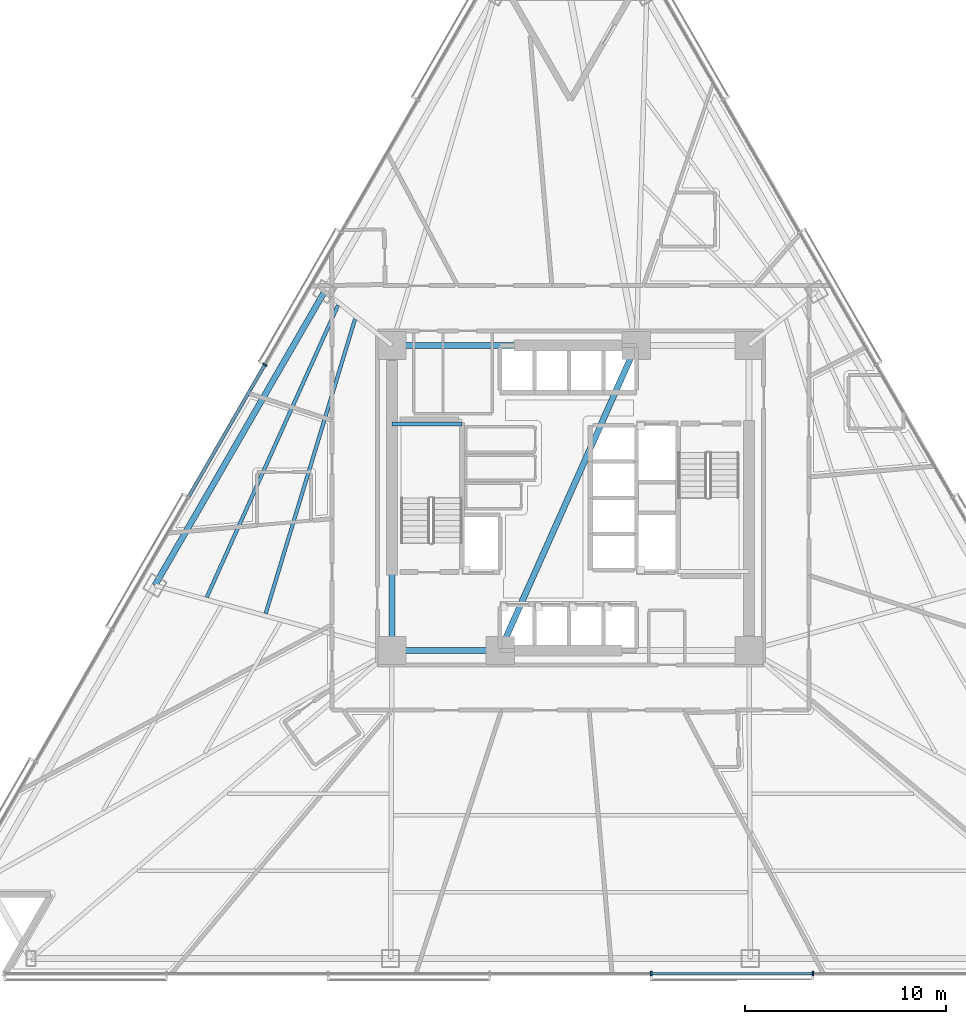
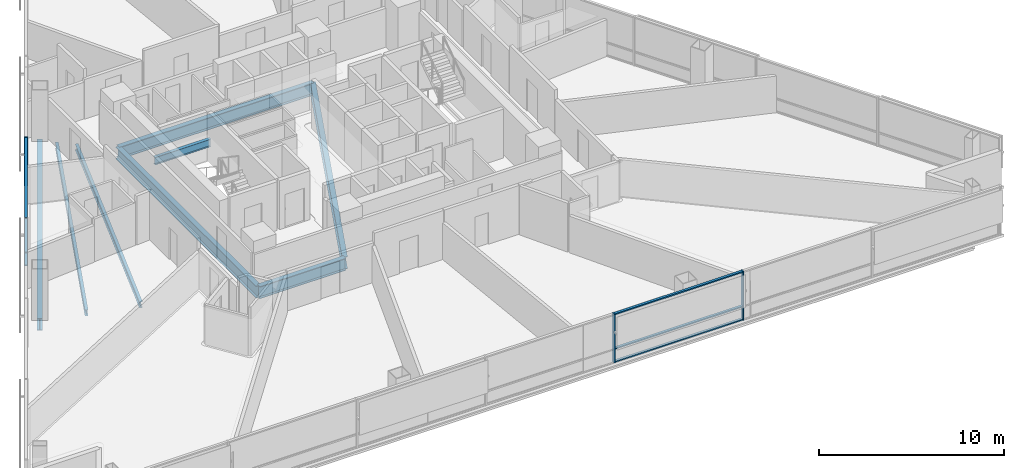
# One storey, part 3 of 18: 9 members, 8 beams, 2 elements without a shape of their own.
"""IFC4 building model written with IfcOpenShell, lengths in metres."""

from ifc_helpers import new_model, si_unit, direction, frame, origin, origin_2d, place, context, subcontext, project, spatial, rectangle, i_section, extrude, material, layer, layer_set, material_profile, profile_set, type_object, element, aggregate, save


model = new_model("IFC4")

# Units and contexts
model_context = context("Model", 3, precision=1e-05, world=origin(), true_north=direction((0.0, 1.0)))
body_context = subcontext(model_context, "Body", "Model", "MODEL_VIEW")
ifc_project = project(units=[si_unit("LENGTHUNIT", "METRE"), si_unit("AREAUNIT", "SQUARE_METRE"), si_unit("VOLUMEUNIT", "CUBIC_METRE"), si_unit("PLANEANGLEUNIT", "RADIAN"), si_unit("MASSUNIT", "GRAM", prefix="KILO")], contexts=[model_context])

# Site, building, storey
site_placement = place(None, origin())
site = spatial("IfcSite", under=ifc_project, at=site_placement, CompositionType="ELEMENT")
building_placement = place(site_placement, origin())
building = spatial("IfcBuilding", under=site, at=building_placement, Name="Tharavind Bronze Gate", CompositionType="ELEMENT")
storey_placement = place(building_placement, frame((0.0, 0.0, 38.64990234375)))
storey = spatial("IfcBuildingStorey", under=building, at=storey_placement, Name="L08", CompositionType="ELEMENT", Elevation=38.64990234375)

# Curtain wall, member
ifc_material_1 = material(Name="Anodised Bronze Aluminium", Category="aluminium")
ifc_layer = layer(ifc_material_1, 0.219970703125)
ifc_layer_set = layer_set([ifc_layer], Name="Anodised Bronze Aluminium")
curtain_wall_type = type_object("IfcCurtainWallType", Name="UNITISED CURTAIN WALL HOTEL", PredefinedType="USERDEFINED", material=ifc_layer_set)
curtain_wall_1_placement = place(storey_placement, origin())
curtain_wall_1 = element("IfcCurtainWall", 1, at=curtain_wall_1_placement, inside=storey, type_object=curtain_wall_type, Name="L08 unitised curtain wall hotel CW-L08-S1", ObjectType="UNITISED CURTAIN WALL", PredefinedType="USERDEFINED")
member_type_1 = type_object("IfcMemberType", Name="CURTAIN WALL MULLION 80X220", PredefinedType="MULLION", material=ifc_material_1)
member_1_placement = place(storey_placement, frame((-15.223876953125, 6.63134765625, 0.0), z_axis=(0.0, 0.0, 1.0), x_axis=(-0.500001511499, -0.866024531118, 0.0)))
member_1 = element("IfcMember", 2, at=member_1_placement, type_object=member_type_1, Name="CW-L08-S1 mullion 4", PredefinedType="MULLION", context=body_context, shape_type="SweptSolid", body=[
    extrude(rectangle(XDim=0.080078125, YDim=0.219970703125, at=origin_2d()), origin(), (0.0, 0.0, 1.0), 3.22509765625),
])

# Curtain wall, members
curtain_wall_2_placement = place(storey_placement, origin())
curtain_wall_2 = element("IfcCurtainWall", 3, at=curtain_wall_2_placement, inside=storey, type_object=curtain_wall_type, Name="L08 unitised curtain wall hotel CW-L08-S2", ObjectType="UNITISED CURTAIN WALL", PredefinedType="USERDEFINED")
member_2_placement = place(storey_placement, frame((4.025146484375, -23.699951171875, 0.0), z_axis=(0.0, 0.0, 1.0), x_axis=(1.0, 0.0, 0.0)))
member_2 = element("IfcMember", 4, at=member_2_placement, type_object=member_type_1, Name="CW-L08-S2 mullion 5", PredefinedType="MULLION", context=body_context, shape_type="SweptSolid", body=[
    extrude(rectangle(XDim=0.080078125, YDim=0.219970703125, at=origin_2d()), origin(), (0.0, 0.0, 1.0), 3.22509765625),
])
member_3_placement = place(storey_placement, frame((12.0751953125, -23.699951171875, 0.0), z_axis=(0.0, 0.0, 1.0), x_axis=(1.0, 0.0, 0.0)))
member_3 = element("IfcMember", 5, at=member_3_placement, type_object=member_type_1, Name="CW-L08-S2 mullion 6", PredefinedType="MULLION", context=body_context, shape_type="SweptSolid", body=[
    extrude(rectangle(XDim=0.080078125, YDim=0.219970703125, at=origin_2d()), origin(), (0.0, 0.0, 1.0), 3.22509765625),
])

# Member
member_type_2 = type_object("IfcMemberType", Name="CURTAIN WALL TRANSOM 80X160", PredefinedType="USERDEFINED", material=ifc_material_1)
member_4_placement = place(storey_placement, frame((-17.1279296875, 3.33349609375, 0.0), z_axis=(0.0, 0.0, 1.0), x_axis=(-0.500001511499, -0.866024531118, 0.0)))
member_4 = element("IfcMember", 6, at=member_4_placement, type_object=member_type_2, Name="CW-L08-S1 transom TB4", ObjectType="TRANSOM", PredefinedType="USERDEFINED", context=body_context, shape_type="SweptSolid", body=[
    extrude(rectangle(XDim=7.5478515625, YDim=0.159912109375, at=origin_2d()), origin(), (0.0, 0.0, 1.0), 0.080078125),
])

member_5_placement = place(storey_placement, frame((-17.1279296875, 3.33349609375, 0.860107421875), z_axis=(0.0, 0.0, 1.0), x_axis=(-0.500001511499, -0.866024531118, 0.0)))
member_5 = element("IfcMember", 7, at=member_5_placement, type_object=member_type_2, Name="CW-L08-S1 transom TS4", ObjectType="TRANSOM", PredefinedType="USERDEFINED", context=body_context, shape_type="SweptSolid", body=[
    extrude(rectangle(XDim=7.5478515625, YDim=0.159912109375, at=origin_2d()), origin(), (0.0, 0.0, 1.0), 0.080078125),
])

member_6_placement = place(storey_placement, frame((-17.1279296875, 3.33349609375, 3.14501953125), z_axis=(0.0, 0.0, 1.0), x_axis=(-0.500001511499, -0.866024531118, 0.0)))
member_6 = element("IfcMember", 8, at=member_6_placement, type_object=member_type_2, Name="CW-L08-S1 transom TT4", ObjectType="TRANSOM", PredefinedType="USERDEFINED", context=body_context, shape_type="SweptSolid", body=[
    extrude(rectangle(XDim=7.5478515625, YDim=0.159912109375, at=origin_2d()), origin(), (0.0, 0.0, 1.0), 0.080078125),
])

aggregate(curtain_wall_1, [member_1, member_4, member_5, member_6])

member_7_placement = place(storey_placement, frame((8.05029296875, -23.699951171875, 0.0), z_axis=(0.0, 0.0, 1.0), x_axis=(1.0, 0.0, 0.0)))
member_7 = element("IfcMember", 9, at=member_7_placement, type_object=member_type_2, Name="CW-L08-S2 transom TB5", ObjectType="TRANSOM", PredefinedType="USERDEFINED", context=body_context, shape_type="SweptSolid", body=[
    extrude(rectangle(XDim=7.982177734375, YDim=0.159912109375, at=origin_2d()), origin(), (0.0, 0.0, 1.0), 0.080078125),
])

member_8_placement = place(storey_placement, frame((8.05029296875, -23.699951171875, 0.860107421875), z_axis=(0.0, 0.0, 1.0), x_axis=(1.0, 0.0, 0.0)))
member_8 = element("IfcMember", 10, at=member_8_placement, type_object=member_type_2, Name="CW-L08-S2 transom TS5", ObjectType="TRANSOM", PredefinedType="USERDEFINED", context=body_context, shape_type="SweptSolid", body=[
    extrude(rectangle(XDim=7.982177734375, YDim=0.159912109375, at=origin_2d()), origin(), (0.0, 0.0, 1.0), 0.080078125),
])

member_9_placement = place(storey_placement, frame((8.05029296875, -23.699951171875, 3.14501953125), z_axis=(0.0, 0.0, 1.0), x_axis=(1.0, 0.0, 0.0)))
member_9 = element("IfcMember", 11, at=member_9_placement, type_object=member_type_2, Name="CW-L08-S2 transom TT5", ObjectType="TRANSOM", PredefinedType="USERDEFINED", context=body_context, shape_type="SweptSolid", body=[
    extrude(rectangle(XDim=7.982177734375, YDim=0.159912109375, at=origin_2d()), origin(), (0.0, 0.0, 1.0), 0.080078125),
])

aggregate(curtain_wall_2, [member_2, member_3, member_7, member_8, member_9])

# Beams
ifc_material_2 = material(Name="Steel S355", Category="steel")
ifc_material_profile_1 = material_profile(ifc_material_2, i_section(OverallWidth=0.199951171875, OverallDepth=0.5, WebThickness=0.01025390625, FlangeThickness=0.01611328125, at=origin_2d()), Name="IPE500")
ifc_profile_set_1 = profile_set([ifc_material_profile_1], Name="Steel S355")
beam_type_1 = type_object("IfcBeamType", Name="PRIMARY GIRDER IPE500", PredefinedType="USERDEFINED", material=ifc_profile_set_1)
beam_1_placement = place(storey_placement, frame((-8.89990234375, 3.679931640625, 1.25), z_axis=(1.0, 0.0, 0.0), x_axis=(0.0, 1.0, 0.0)))
element("IfcBeam", 12, at=beam_1_placement, inside=storey, type_object=beam_type_1, Name="L08 primary girder ipe500 BM-LD-ST1-L08-1", ObjectType="GIRDER", PredefinedType="USERDEFINED", context=body_context, shape_type="SweptSolid", body=[
    extrude(i_section(OverallWidth=0.199951171875, OverallDepth=0.5, WebThickness=0.01025390625, FlangeThickness=0.01611328125, at=origin_2d()), origin(), (0.0, 0.0, 1.0), 3.5),
])
ifc_material_profile_2 = material_profile(ifc_material_2, i_section(OverallWidth=0.300048828125, OverallDepth=0.800048828125, WebThickness=0.017578125, FlangeThickness=0.032958984375, at=origin_2d()), Name="HE800B")
ifc_profile_set_2 = profile_set([ifc_material_profile_2], Name="Steel S355")
beam_type_2 = type_object("IfcBeamType", Name="RING GIRDER HE800B", PredefinedType="USERDEFINED", material=ifc_profile_set_2)
beam_2_placement = place(storey_placement, frame((-8.89990234375, -7.60009765625, -0.574951171875), z_axis=(1.0, 0.0, 0.0), x_axis=(0.0, 1.0, 0.0)))
element("IfcBeam", 13, at=beam_2_placement, inside=storey, type_object=beam_type_2, Name="L08 ring girder he800b BM-L08-CR1", ObjectType="GIRDER", PredefinedType="USERDEFINED", context=body_context, shape_type="SweptSolid", body=[
    extrude(i_section(OverallWidth=0.300048828125, OverallDepth=0.800048828125, WebThickness=0.017578125, FlangeThickness=0.032958984375, at=origin_2d()), origin(), (0.0, 0.0, 1.0), 5.39990234375),
])
beam_3_placement = place(storey_placement, frame((3.280029296875, 7.60009765625, -0.574951171875), z_axis=(-1.0, 0.0, 0.0), x_axis=(0.0, -1.0, 0.0)))
element("IfcBeam", 14, at=beam_3_placement, inside=storey, type_object=beam_type_2, Name="L08 ring girder he800b BM-L08-CR5", ObjectType="GIRDER", PredefinedType="USERDEFINED", context=body_context, shape_type="SweptSolid", body=[
    extrude(i_section(OverallWidth=0.300048828125, OverallDepth=0.800048828125, WebThickness=0.017578125, FlangeThickness=0.032958984375, at=origin_2d()), origin(), (0.0, 0.0, 1.0), 12.179931640625),
])
beam_4_placement = place(storey_placement, frame((-8.89990234375, 7.60009765625, -0.574951171875), z_axis=(0.0, -1.0, 0.0), x_axis=(1.0, 0.0, 0.0)))
element("IfcBeam", 15, at=beam_4_placement, inside=storey, type_object=beam_type_2, Name="L08 ring girder he800b BM-L08-CR6", ObjectType="GIRDER", PredefinedType="USERDEFINED", context=body_context, shape_type="SweptSolid", body=[
    extrude(i_section(OverallWidth=0.300048828125, OverallDepth=0.800048828125, WebThickness=0.017578125, FlangeThickness=0.032958984375, at=origin_2d()), origin(), (0.0, 0.0, 1.0), 15.2001953125),
])
beam_5_placement = place(storey_placement, frame((-3.5, -7.60009765625, -0.574951171875), z_axis=(0.407361644566, 0.913266932795, 0.0), x_axis=(-0.913266932795, 0.407361644566, 0.0)))
element("IfcBeam", 16, at=beam_5_placement, inside=storey, type_object=beam_type_2, Name="L08 ring girder he800b BM-L08-CR7", ObjectType="GIRDER", PredefinedType="USERDEFINED", context=body_context, shape_type="SweptSolid", body=[
    extrude(i_section(OverallWidth=0.300048828125, OverallDepth=0.800048828125, WebThickness=0.017578125, FlangeThickness=0.032958984375, at=origin_2d()), origin(), (0.0, 0.0, 1.0), 16.643798828125),
])
beam_6_placement = place(storey_placement, frame((-12.252197265625, 10.278564453125, -0.574951171875), z_axis=(-0.50000832373, -0.866020598023, 0.0), x_axis=(0.866020598023, -0.50000832373, 0.0)))
element("IfcBeam", 17, at=beam_6_placement, inside=storey, type_object=beam_type_2, Name="L08 ring girder he800b BM-L08-PRG02", ObjectType="GIRDER", PredefinedType="USERDEFINED", context=body_context, shape_type="SweptSolid", body=[
    extrude(i_section(OverallWidth=0.300048828125, OverallDepth=0.800048828125, WebThickness=0.017578125, FlangeThickness=0.032958984375, at=origin_2d()), origin(), (0.0, 0.0, 1.0), 16.904541015625),
])
ifc_material_profile_3 = material_profile(ifc_material_2, i_section(OverallWidth=0.179931640625, OverallDepth=0.39990234375, WebThickness=0.008544921875, FlangeThickness=0.013427734375, at=origin_2d()), Name="IPE400")
ifc_profile_set_3 = profile_set([ifc_material_profile_3], Name="Steel S355")
beam_type_3 = type_object("IfcBeamType", Name="SECONDARY FLOOR JOIST IPE400", PredefinedType="JOIST", material=ifc_profile_set_3)
beam_7_placement = place(storey_placement, frame((-10.72900390625, 8.915771484375, -0.375), z_axis=(-0.290410798392, -0.956902068227, 0.0), x_axis=(0.956902068227, -0.290410798392, 0.0)))
element("IfcBeam", 18, at=beam_7_placement, inside=storey, type_object=beam_type_3, Name="L08 secondary floor joist ipe400 BM-L08-JSTA02", PredefinedType="JOIST", context=body_context, shape_type="SweptSolid", body=[
    extrude(i_section(OverallWidth=0.179931640625, OverallDepth=0.39990234375, WebThickness=0.008544921875, FlangeThickness=0.013427734375, at=origin_2d()), origin(), (0.0, 0.0, 1.0), 15.334716796875),
])
beam_8_placement = place(storey_placement, frame((-11.579833984375, 9.595458984375, -0.375), z_axis=(-0.40998786392, -0.91209097761, 0.0), x_axis=(0.91209097761, -0.40998786392, 0.0)))
element("IfcBeam", 19, at=beam_8_placement, inside=storey, type_object=beam_type_3, Name="L08 secondary floor joist ipe400 BM-L08-JSTB02", PredefinedType="JOIST", context=body_context, shape_type="SweptSolid", body=[
    extrude(i_section(OverallWidth=0.179931640625, OverallDepth=0.39990234375, WebThickness=0.008544921875, FlangeThickness=0.013427734375, at=origin_2d()), origin(), (0.0, 0.0, 1.0), 15.949951171875),
])

save(model, "model.ifc")
